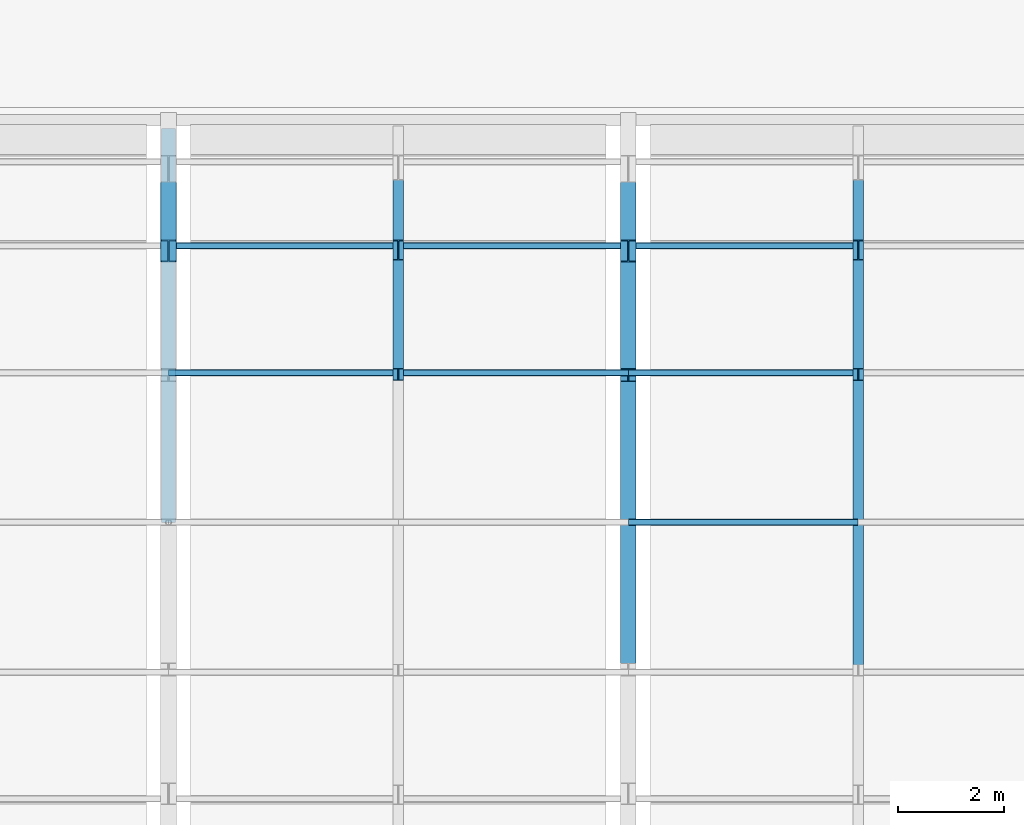
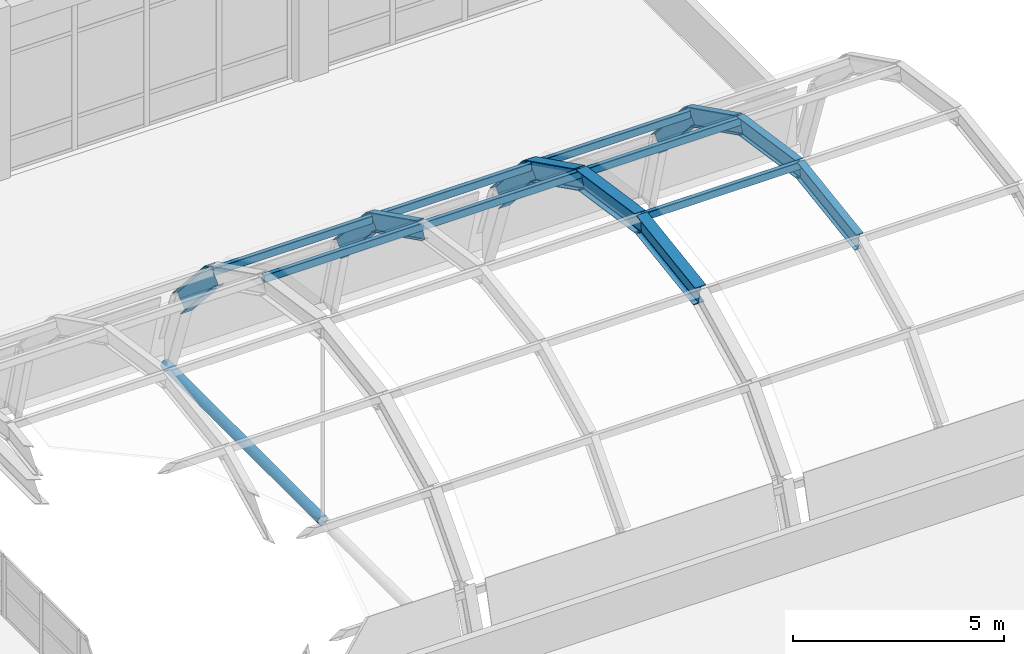
# One storey, part 45 of 124: 11 beams, 8 members.
"""IFC4 building model written with IfcOpenShell, lengths in metres."""

import ifcopenshell
import ifcopenshell.guid

model = None  # the IFC model being written
_history = None  # IfcOwnerHistory: only IFC2X3 demands one
_inside = {}  # id of a spatial element -> (the spatial element, [elements in it])
_under = {}  # id of a project, library or spatial element -> (it, [spatial elements below it])
_declared = {}  # id of a project -> (the project, [libraries it declares])
_typed = {}  # id of a type object -> (the type object, [elements of that type])
_made_of = {}  # id of a material, layer set ... -> (it, [elements and type objects made of it])


def new_model(schema):
    """Start an empty IFC model of exactly this schema.

    Asked for "IFC4X3", IfcOpenShell would pick the latest addendum, in which some entities
    have other attributes; the version numbers below select the first issue.
    IFC2X3 requires an IfcOwnerHistory on every rooted entity: one is made here for all.
    """
    global model, _history
    if schema == "IFC4X3":
        model = ifcopenshell.file(schema_version=(4, 3, 0, 0))
    else:
        model = ifcopenshell.file(schema=schema)
    _inside.clear()
    _under.clear()
    _declared.clear()
    _typed.clear()
    _made_of.clear()
    _history = None
    if model.schema == "IFC2X3":
        org = make("IfcOrganization", Name="unknown")
        user = make(
            "IfcPersonAndOrganization",
            ThePerson=make("IfcPerson", FamilyName="unknown"),
            TheOrganization=org,
        )
        app = make(
            "IfcApplication",
            ApplicationDeveloper=org,
            Version="unknown",
            ApplicationFullName="unknown",
            ApplicationIdentifier="unknown",
        )
        _history = make(
            "IfcOwnerHistory",
            OwningUser=user,
            OwningApplication=app,
            ChangeAction="ADDED",
            CreationDate=0,
        )
    return model


def make(cls, **values):
    """One entity of the class cls with the attributes given. An attribute that is None is left unset."""
    return model.create_entity(
        cls, **{name: value for name, value in values.items() if value is not None}
    )


def rooted(cls, **values):
    """An entity with a GlobalId (a new one), such as an element, a storey or a relation."""
    return make(cls, GlobalId=ifcopenshell.guid.new(), OwnerHistory=_history, **values)


def si_unit(unit_type, name, prefix=None):
    """IfcSIUnit, for example si_unit("LENGTHUNIT", "METRE", prefix="MILLI")."""
    return make("IfcSIUnit", UnitType=unit_type, Prefix=prefix, Name=name)


def derived_unit(unit_type, elements):
    """IfcDerivedUnit: a product of units, each with its exponent."""
    return make(
        "IfcDerivedUnit",
        Elements=[
            make("IfcDerivedUnitElement", Unit=unit, Exponent=power)
            for unit, power in elements
        ],
        UnitType=unit_type,
    )


def assignment(units):
    """IfcUnitAssignment: the units of a project."""
    return None if units is None else make("IfcUnitAssignment", Units=units)


def point(xyz):
    """IfcCartesianPoint."""
    return None if xyz is None else make("IfcCartesianPoint", Coordinates=xyz)


def direction(xyz):
    """IfcDirection."""
    return None if xyz is None else make("IfcDirection", DirectionRatios=xyz)


def frame(location, z_axis=None, x_axis=None):
    """IfcAxis2Placement3D, a coordinate frame: its origin and axes. An axis left out is left unset."""
    return make(
        "IfcAxis2Placement3D",
        Location=point(location),
        Axis=direction(z_axis),
        RefDirection=direction(x_axis),
    )


def frame_2d(location, x_axis=None):
    """IfcAxis2Placement2D, a coordinate frame in the plane: its origin and x axis."""
    return make(
        "IfcAxis2Placement2D", Location=point(location), RefDirection=direction(x_axis)
    )


def origin():
    """The frame at (0, 0, 0) with its axes left unset."""
    return frame((0.0, 0.0, 0.0))


def origin_2d():
    """The frame at (0, 0) in the plane with its x axis left unset."""
    return frame_2d((0.0, 0.0))


def place(relative_to, where):
    """IfcLocalPlacement: puts the frame where relative to a parent placement (None: the world)."""
    return make(
        "IfcLocalPlacement", PlacementRelTo=relative_to, RelativePlacement=where
    )


def context(
    kind, dimensions, precision=None, world=None, true_north=None, identifier=None
):
    """IfcGeometricRepresentationContext, for example the 3D "Model" context."""
    return make(
        "IfcGeometricRepresentationContext",
        ContextIdentifier=identifier,
        ContextType=kind,
        CoordinateSpaceDimension=dimensions,
        Precision=precision,
        WorldCoordinateSystem=world,
        TrueNorth=true_north,
    )


def subcontext(parent, identifier, kind, view, scale=None):
    """IfcGeometricRepresentationSubContext, for example "Body" below "Model"."""
    return make(
        "IfcGeometricRepresentationSubContext",
        ContextIdentifier=identifier,
        ContextType=kind,
        ParentContext=parent,
        TargetScale=scale,
        TargetView=view,
    )


def project(units=None, contexts=None):
    """IfcProject with its units and contexts."""
    return rooted(
        "IfcProject",
        Name="project",
        RepresentationContexts=contexts,
        UnitsInContext=assignment(units),
    )


def spatial(cls, under=None, at=None, **own):
    """A site, building, storey or space (cls), placed at a placement, below another one or the project."""
    s = rooted(cls, ObjectPlacement=at, **own)
    if under is not None:
        _under.setdefault(under.id(), (under, []))[1].append(s)
    return s


def profile(cls, at=None, kind="AREA", **sizes):
    """A parametric profile (cls). Its sizes go by their IFC names, for example OverallWidth=200.0."""
    return make(cls, ProfileType=kind, Position=at, **sizes)


def hollow_rectangle(**sizes):
    """IfcRectangleHollowProfileDef."""
    return profile("IfcRectangleHollowProfileDef", **sizes)


def hollow_circle(**sizes):
    """IfcCircleHollowProfileDef."""
    return profile("IfcCircleHollowProfileDef", **sizes)


def i_section(**sizes):
    """IfcIShapeProfileDef."""
    return profile("IfcIShapeProfileDef", **sizes)


def extrude(swept, where, along, depth):
    """IfcExtrudedAreaSolid: the profile swept, set in the frame where, extruded along a direction by depth."""
    return make(
        "IfcExtrudedAreaSolid",
        SweptArea=swept,
        Position=where,
        ExtrudedDirection=direction(along),
        Depth=depth,
    )


def shape(context_of_items, identifier, shape_type, items):
    """IfcShapeRepresentation: the items that make up one representation, for example the "Body"."""
    return make(
        "IfcShapeRepresentation",
        ContextOfItems=context_of_items,
        RepresentationIdentifier=identifier,
        RepresentationType=shape_type,
        Items=items,
    )


def material(Name=None, Category=None):
    """IfcMaterial."""
    return make("IfcMaterial", Name=Name, Category=Category)


def material_profile(
    of_material, cross_section, Name=None, Category=None, Priority=None
):
    """IfcMaterialProfile: a cross section and its material."""
    return make(
        "IfcMaterialProfile",
        Name=Name,
        Material=of_material,
        Profile=cross_section,
        Priority=Priority,
        Category=Category,
    )


def profile_set(profiles, Name=None, composite=None):
    """IfcMaterialProfileSet."""
    return make(
        "IfcMaterialProfileSet",
        Name=Name,
        MaterialProfiles=profiles,
        CompositeProfile=composite,
    )


def made_of(thing, what):
    """Note that an element or type object is made of a material, layer set ...; save() writes the relation."""
    if what is not None:
        _made_of.setdefault(what.id(), (what, []))[1].append(thing)
    return thing


def type_object(cls, material=None, **own):
    """A type object (cls), such as IfcWallType, which elements share."""
    return made_of(rooted(cls, **own), material)


def element(
    cls,
    number,
    at=None,
    inside=None,
    cuts=None,
    type_object=None,
    material=None,
    context=None,
    identifier="Body",
    shape_type=None,
    held_by="IfcProductDefinitionShape",
    body=None,
    shapes=None,
    **own,
):
    """One element of the class cls, such as IfcWall. Its Tag is "e" and its number.

    at: its placement. inside: the storey or other place that contains it. cuts: it is an
    opening in that element (IfcRelVoidsElement). A single representation is given by context,
    identifier, shape_type and body (its items); several are given by shapes. held_by: the class
    of the entity that holds the representations. save() writes the other relations.
    """
    e = rooted(cls, Tag="e%d" % number, ObjectPlacement=at, **own)
    if body is not None:
        shapes = [shape(context, identifier, shape_type, body)]
    if shapes is not None:
        e.Representation = make(held_by, Representations=shapes)
    if inside is not None:
        _inside.setdefault(inside.id(), (inside, []))[1].append(e)
    if cuts is not None:
        rooted(
            "IfcRelVoidsElement", RelatingBuildingElement=cuts, RelatedOpeningElement=e
        )
    if type_object is not None:
        _typed.setdefault(type_object.id(), (type_object, []))[1].append(e)
    return made_of(e, material)


def aggregate(whole, parts):
    """IfcRelAggregates: a whole, such as a stair, and the parts it consists of."""
    return rooted("IfcRelAggregates", RelatingObject=whole, RelatedObjects=parts)


def save(model, path):
    """Write the relations noted so far, then the file.

    IfcRelAggregates (storeys below a building ...), IfcRelContainedInSpatialStructure (elements
    in a storey), IfcRelDefinesByType, IfcRelAssociatesMaterial and IfcRelDeclares: one each for
    every whole, place, type object, material and project.
    """
    for whole, parts in _under.values():
        aggregate(whole, parts)
    for where, things in _inside.values():
        rooted(
            "IfcRelContainedInSpatialStructure",
            RelatedElements=things,
            RelatingStructure=where,
        )
    for kind, things in _typed.values():
        rooted("IfcRelDefinesByType", RelatedObjects=things, RelatingType=kind)
    for what, things in _made_of.values():
        rooted("IfcRelAssociatesMaterial", RelatedObjects=things, RelatingMaterial=what)
    for by, libraries in _declared.values():
        rooted("IfcRelDeclares", RelatingContext=by, RelatedDefinitions=libraries)
    model.write(path)


model = new_model("IFC4")

# Units and contexts
model_context = context("Model", 3, precision=1e-05, world=origin(), true_north=direction((0.0, 1.0)))
body_context = subcontext(model_context, "Body", "Model", "MODEL_VIEW")
ifc_project = project(units=[si_unit("LENGTHUNIT", "METRE"), si_unit("AREAUNIT", "SQUARE_METRE"), si_unit("VOLUMEUNIT", "CUBIC_METRE"), si_unit("PLANEANGLEUNIT", "RADIAN"), si_unit("MASSUNIT", "GRAM", prefix="KILO"), derived_unit("THERMALTRANSMITTANCEUNIT", [(si_unit("MASSUNIT", "GRAM", prefix="KILO"), 1), (si_unit("TIMEUNIT", "SECOND"), -3), (si_unit("THERMODYNAMICTEMPERATUREUNIT", "KELVIN"), -1)])], contexts=[model_context])

# Site, building, storey
site_placement = place(None, origin())
site = spatial("IfcSite", under=ifc_project, at=site_placement, CompositionType="ELEMENT")
building_placement = place(site_placement, origin())
building = spatial("IfcBuilding", under=site, at=building_placement, Name="Qinzheling Arcade Emporium", CompositionType="ELEMENT")
storey_placement = place(building_placement, frame((0.0, 0.0, 16.5)))
storey = spatial("IfcBuildingStorey", under=building, at=storey_placement, Name="L04", CompositionType="ELEMENT", Elevation=16.5)

# Beams
ifc_material = material(Name="Weathering steel Q355NH", Category="steel")
ifc_material_profile_1 = material_profile(ifc_material, i_section(OverallWidth=0.199951171875, OverallDepth=0.5, WebThickness=0.010009765625, FlangeThickness=0.01611328125, FilletRadius=0.01806640625, at=origin_2d()), Name="HN 500x200x10x16", Category="steel")
ifc_profile_set_1 = profile_set([ifc_material_profile_1], Name="Weathering steel Q355NH")
beam_type_1 = type_object("IfcBeamType", Name="Arcade End Arch Rib HN500 Q355NH", PredefinedType="BEAM", material=ifc_profile_set_1)
beam_1_placement = place(storey_placement, frame((117.449951171875, 60.696044921875, 4.93701171875), z_axis=(0.0, 0.895093759776, -0.445877966725), x_axis=(-1.0, 0.0, 0.0)))
element("IfcBeam", 1, at=beam_1_placement, inside=storey, type_object=beam_type_1, Name="Arcade Sub-Rib VLT-ARCADE-SRIB-B02-S06", PredefinedType="BEAM", context=body_context, shape_type="SweptSolid", body=[
    extrude(i_section(OverallWidth=0.199951171875, OverallDepth=0.5, WebThickness=0.010009765625, FlangeThickness=0.01611328125, FilletRadius=0.01806640625, at=origin_2d()), origin(), (0.0, 0.0, 1.0), 2.633056640625),
])
beam_2_placement = place(storey_placement, frame((117.449951171875, 63.052978515625, 3.762939453125), z_axis=(0.0, 0.667513023581, -0.744598122043), x_axis=(-1.0, 0.0, 0.0)))
element("IfcBeam", 2, at=beam_2_placement, inside=storey, type_object=beam_type_1, Name="Arcade Sub-Rib VLT-ARCADE-SRIB-B02-S07", PredefinedType="BEAM", context=body_context, shape_type="SweptSolid", body=[
    extrude(i_section(OverallWidth=0.199951171875, OverallDepth=0.5, WebThickness=0.010009765625, FlangeThickness=0.01611328125, FilletRadius=0.01806640625, at=origin_2d()), origin(), (0.0, 0.0, 1.0), 2.334228515625),
])
beam_3_placement = place(storey_placement, frame((126.14990234375, 55.10400390625, 4.93701171875), z_axis=(0.0, 0.989160754907, 0.146836647166), x_axis=(-1.0, 0.0, 0.0)))
element("IfcBeam", 3, at=beam_3_placement, inside=storey, type_object=beam_type_1, Name="Arcade Sub-Rib VLT-ARCADE-SRIB-B03-S04", PredefinedType="BEAM", context=body_context, shape_type="SweptSolid", body=[
    extrude(i_section(OverallWidth=0.199951171875, OverallDepth=0.5, WebThickness=0.010009765625, FlangeThickness=0.01611328125, FilletRadius=0.01806640625, at=origin_2d()), origin(), (0.0, 0.0, 1.0), 2.826416015625),
])
beam_4_placement = place(storey_placement, frame((126.14990234375, 57.89990234375, 5.35205078125), z_axis=(0.0, 0.989162616989, -0.146824102758), x_axis=(-1.0, 0.0, 0.0)))
element("IfcBeam", 4, at=beam_4_placement, inside=storey, type_object=beam_type_1, Name="Arcade Sub-Rib VLT-ARCADE-SRIB-B03-S05", PredefinedType="BEAM", context=body_context, shape_type="SweptSolid", body=[
    extrude(i_section(OverallWidth=0.199951171875, OverallDepth=0.5, WebThickness=0.010009765625, FlangeThickness=0.01611328125, FilletRadius=0.01806640625, at=origin_2d()), origin(), (0.0, 0.0, 1.0), 2.82666015625),
])
beam_5_placement = place(storey_placement, frame((126.14990234375, 60.696044921875, 4.93701171875), z_axis=(0.0, 0.895093759776, -0.445877966725), x_axis=(-1.0, 0.0, 0.0)))
element("IfcBeam", 5, at=beam_5_placement, inside=storey, type_object=beam_type_1, Name="Arcade Sub-Rib VLT-ARCADE-SRIB-B03-S06", PredefinedType="BEAM", context=body_context, shape_type="SweptSolid", body=[
    extrude(i_section(OverallWidth=0.199951171875, OverallDepth=0.5, WebThickness=0.010009765625, FlangeThickness=0.01611328125, FilletRadius=0.01806640625, at=origin_2d()), origin(), (0.0, 0.0, 1.0), 2.633056640625),
])
beam_6_placement = place(storey_placement, frame((126.14990234375, 63.052978515625, 3.762939453125), z_axis=(0.0, 0.667513023581, -0.744598122043), x_axis=(-1.0, 0.0, 0.0)))
element("IfcBeam", 6, at=beam_6_placement, inside=storey, type_object=beam_type_1, Name="Arcade Sub-Rib VLT-ARCADE-SRIB-B03-S07", PredefinedType="BEAM", context=body_context, shape_type="SweptSolid", body=[
    extrude(i_section(OverallWidth=0.199951171875, OverallDepth=0.5, WebThickness=0.010009765625, FlangeThickness=0.01611328125, FilletRadius=0.01806640625, at=origin_2d()), origin(), (0.0, 0.0, 1.0), 2.334228515625),
])

# Members
ifc_material_profile_2 = material_profile(ifc_material, hollow_rectangle(XDim=0.1201171875, YDim=0.219970703125, WallThickness=0.008056640625, InnerFilletRadius=0.008056640625, OuterFilletRadius=0.01611328125, at=origin_2d()), Name="RHS 220x120x8", Category="steel")
ifc_profile_set_2 = profile_set([ifc_material_profile_2], Name="Weathering steel Q355NH")
member_type_1 = type_object("IfcMemberType", Name="Arcade Skylight Purlin RHS220 Q355NH", PredefinedType="PURLIN", material=ifc_profile_set_2)
member_1_placement = place(storey_placement, frame((113.10009765625, 60.73388671875, 5.031005859375), z_axis=(1.0, 0.0, 0.0), x_axis=(0.0, 1.0, 0.0)))
element("IfcMember", 7, at=member_1_placement, inside=storey, type_object=member_type_1, Name="Arcade Skylight Purlin VLT-ARCADE-PUR-B02-N05-1", PredefinedType="PURLIN", context=body_context, shape_type="SweptSolid", body=[
    extrude(hollow_rectangle(XDim=0.1201171875, YDim=0.219970703125, WallThickness=0.008056640625, InnerFilletRadius=0.008056640625, OuterFilletRadius=0.01611328125, at=origin_2d()), origin(), (0.0, 0.0, 1.0), 4.349853515625),
])
member_2_placement = place(storey_placement, frame((117.449951171875, 60.73388671875, 5.031005859375), z_axis=(1.0, 0.0, 0.0), x_axis=(0.0, 1.0, 0.0)))
element("IfcMember", 8, at=member_2_placement, inside=storey, type_object=member_type_1, Name="Arcade Skylight Purlin VLT-ARCADE-PUR-B02-N05-2", PredefinedType="PURLIN", context=body_context, shape_type="SweptSolid", body=[
    extrude(hollow_rectangle(XDim=0.1201171875, YDim=0.219970703125, WallThickness=0.008056640625, InnerFilletRadius=0.008056640625, OuterFilletRadius=0.01611328125, at=origin_2d()), origin(), (0.0, 0.0, 1.0), 4.35009765625),
])
member_3_placement = place(storey_placement, frame((113.10009765625, 63.132080078125, 3.778076171875), z_axis=(1.0, 0.0, 0.0), x_axis=(0.0, 1.0, 0.0)))
element("IfcMember", 9, at=member_3_placement, inside=storey, type_object=member_type_1, Name="Arcade Skylight Purlin VLT-ARCADE-PUR-B02-N06-1", PredefinedType="PURLIN", context=body_context, shape_type="SweptSolid", body=[
    extrude(hollow_rectangle(XDim=0.1201171875, YDim=0.219970703125, WallThickness=0.008056640625, InnerFilletRadius=0.008056640625, OuterFilletRadius=0.01611328125, at=origin_2d()), origin(), (0.0, 0.0, 1.0), 4.349853515625),
])
member_4_placement = place(storey_placement, frame((117.449951171875, 63.132080078125, 3.778076171875), z_axis=(1.0, 0.0, 0.0), x_axis=(0.0, 1.0, 0.0)))
element("IfcMember", 10, at=member_4_placement, inside=storey, type_object=member_type_1, Name="Arcade Skylight Purlin VLT-ARCADE-PUR-B02-N06-2", PredefinedType="PURLIN", context=body_context, shape_type="SweptSolid", body=[
    extrude(hollow_rectangle(XDim=0.1201171875, YDim=0.219970703125, WallThickness=0.008056640625, InnerFilletRadius=0.008056640625, OuterFilletRadius=0.01611328125, at=origin_2d()), origin(), (0.0, 0.0, 1.0), 4.35009765625),
])
for number, where, z_axis, x_axis, name in (
    (11, (121.800048828125, 57.89990234375, 5.47802734375), (1.0, 0.0, 0.0), (0.0, 1.0, 0.0), "Arcade Skylight Purlin VLT-ARCADE-PUR-B03-N04-1"),
    (12, (121.800048828125, 60.73388671875, 5.031005859375), (1.0, 0.0, 0.0), (0.0, 1.0, 0.0), "Arcade Skylight Purlin VLT-ARCADE-PUR-B03-N05-1"),
    (13, (121.800048828125, 63.132080078125, 3.778076171875), (1.0, 0.0, 0.0), (0.0, 1.0, 0.0), "Arcade Skylight Purlin VLT-ARCADE-PUR-B03-N06-1"),
):
    element("IfcMember", number, at=place(storey_placement, frame(where, z_axis=z_axis, x_axis=x_axis)), inside=storey, type_object=member_type_1, Name=name, PredefinedType="PURLIN", context=body_context, shape_type="SweptSolid", body=[
        extrude(hollow_rectangle(XDim=0.1201171875, YDim=0.219970703125, WallThickness=0.008056640625, InnerFilletRadius=0.008056640625, OuterFilletRadius=0.01611328125, at=origin_2d()), origin(), (0.0, 0.0, 1.0), 4.349853515625),
    ])

# Beams
ifc_material_profile_3 = material_profile(ifc_material, i_section(OverallWidth=0.300048828125, OverallDepth=0.550048828125, WebThickness=0.010986328125, FlangeThickness=0.01806640625, FilletRadius=0.02197265625, at=origin_2d()), Name="HN 550x300x11x18", Category="steel")
ifc_profile_set_3 = profile_set([ifc_material_profile_3], Name="Weathering steel Q355NH")
beam_type_2 = type_object("IfcBeamType", Name="Arcade Vault Arch Rib HN550 Q355NH", PredefinedType="BEAM", material=ifc_profile_set_3)
beam_7_placement = place(storey_placement, frame((113.10009765625, 63.035888671875, 3.740966796875), z_axis=(0.0, 0.667755968638, -0.744380256555), x_axis=(-1.0, 0.0, 0.0)))
element("IfcBeam", 14, at=beam_7_placement, inside=storey, type_object=beam_type_2, Name="Arcade Arch Rib VLT-ARCADE-RIB-02-S07", PredefinedType="BEAM", context=body_context, shape_type="SweptSolid", body=[
    extrude(i_section(OverallWidth=0.300048828125, OverallDepth=0.550048828125, WebThickness=0.010986328125, FlangeThickness=0.01806640625, FilletRadius=0.02197265625, at=origin_2d()), origin(), (0.0, 0.0, 1.0), 2.32275390625),
])
beam_8_placement = place(storey_placement, frame((121.800048828125, 55.113037109375, 4.912109375), z_axis=(0.0, 0.989204858148, 0.14653923917), x_axis=(-1.0, 0.0, 0.0)))
element("IfcBeam", 15, at=beam_8_placement, inside=storey, type_object=beam_type_2, Name="Arcade Arch Rib VLT-ARCADE-RIB-03-S04", PredefinedType="BEAM", context=body_context, shape_type="SweptSolid", body=[
    extrude(i_section(OverallWidth=0.300048828125, OverallDepth=0.550048828125, WebThickness=0.010986328125, FlangeThickness=0.01806640625, FilletRadius=0.02197265625, at=origin_2d()), origin(), (0.0, 0.0, 1.0), 2.8173828125),
])
beam_9_placement = place(storey_placement, frame((121.800048828125, 57.89990234375, 5.324951171875), z_axis=(0.0, 0.989206718788, -0.146526678475), x_axis=(-1.0, 0.0, 0.0)))
element("IfcBeam", 16, at=beam_9_placement, inside=storey, type_object=beam_type_2, Name="Arcade Arch Rib VLT-ARCADE-RIB-03-S05", PredefinedType="BEAM", context=body_context, shape_type="SweptSolid", body=[
    extrude(i_section(OverallWidth=0.300048828125, OverallDepth=0.550048828125, WebThickness=0.010986328125, FlangeThickness=0.01806640625, FilletRadius=0.02197265625, at=origin_2d()), origin(), (0.0, 0.0, 1.0), 2.817626953125),
])
beam_10_placement = place(storey_placement, frame((121.800048828125, 60.68701171875, 4.912109375), z_axis=(0.0, 0.894928925573, -0.446208715931), x_axis=(-1.0, 0.0, 0.0)))
element("IfcBeam", 17, at=beam_10_placement, inside=storey, type_object=beam_type_2, Name="Arcade Arch Rib VLT-ARCADE-RIB-03-S06", PredefinedType="BEAM", context=body_context, shape_type="SweptSolid", body=[
    extrude(i_section(OverallWidth=0.300048828125, OverallDepth=0.550048828125, WebThickness=0.010986328125, FlangeThickness=0.01806640625, FilletRadius=0.02197265625, at=origin_2d()), origin(), (0.0, 0.0, 1.0), 2.624755859375),
])
beam_11_placement = place(storey_placement, frame((121.800048828125, 63.035888671875, 3.740966796875), z_axis=(0.0, 0.667755968638, -0.744380256555), x_axis=(-1.0, 0.0, 0.0)))
element("IfcBeam", 18, at=beam_11_placement, inside=storey, type_object=beam_type_2, Name="Arcade Arch Rib VLT-ARCADE-RIB-03-S07", PredefinedType="BEAM", context=body_context, shape_type="SweptSolid", body=[
    extrude(i_section(OverallWidth=0.300048828125, OverallDepth=0.550048828125, WebThickness=0.010986328125, FlangeThickness=0.01806640625, FilletRadius=0.02197265625, at=origin_2d()), origin(), (0.0, 0.0, 1.0), 2.32275390625),
])

# Member
ifc_material_profile_4 = material_profile(ifc_material, hollow_circle(Radius=0.136474609375, WallThickness=0.011962890625, at=origin_2d()), Name="CHS 273x12", Category="steel")
ifc_profile_set_4 = profile_set([ifc_material_profile_4], Name="Weathering steel Q355NH")
member_type_2 = type_object("IfcMemberType", Name="Vault Thrust Tie Chord CHS273 Q355NH", PredefinedType="CHORD", material=ifc_profile_set_4)
member_5_placement = place(storey_placement, frame((113.10009765625, 57.89990234375, -0.25), z_axis=(0.0, 1.0, 0.0), x_axis=(-1.0, 0.0, 0.0)))
element("IfcMember", 19, at=member_5_placement, inside=storey, type_object=member_type_2, Name="Arcade Thrust Tie VLT-ARCADE-TIE-02-2", PredefinedType="CHORD", context=body_context, shape_type="SweptSolid", body=[
    extrude(hollow_circle(Radius=0.136474609375, WallThickness=0.011962890625, at=origin_2d()), origin(), (0.0, 0.0, 1.0), 7.4501953125),
])

save(model, "model.ifc")
